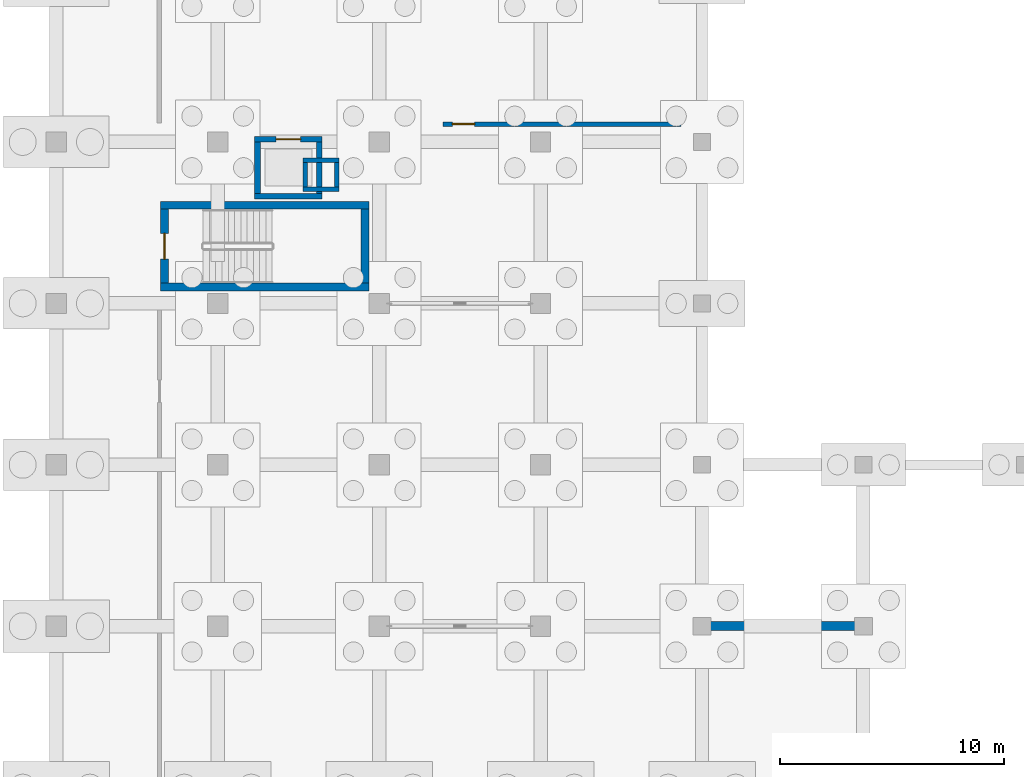
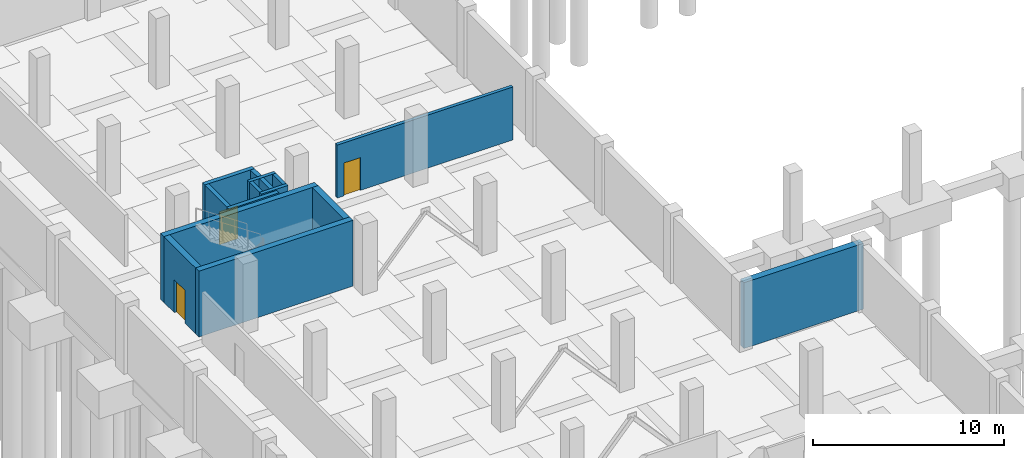
# One storey, part 29 of 36: 14 walls, 3 doors, 3 openings.
"""IFC4 building model written with IfcOpenShell, lengths in metres."""

from ifc_helpers import new_model, si_unit, direction, frame, frame_2d, origin, place, context, subcontext, project, spatial, rectangle, extrude, material, layer, layer_set, type_object, element, fill, save


model = new_model("IFC4")

# Units and contexts
model_context = context("Model", 3, precision=1e-05, world=origin(), true_north=direction((0.0, 1.0)))
body_context = subcontext(model_context, "Body", "Model", "MODEL_VIEW")
ifc_project = project(units=[si_unit("LENGTHUNIT", "METRE"), si_unit("AREAUNIT", "SQUARE_METRE"), si_unit("VOLUMEUNIT", "CUBIC_METRE"), si_unit("PLANEANGLEUNIT", "RADIAN"), si_unit("MASSUNIT", "GRAM", prefix="KILO")], contexts=[model_context])

# Site, building, storey
site_placement = place(None, origin())
site = spatial("IfcSite", under=ifc_project, at=site_placement, CompositionType="ELEMENT")
building_placement = place(site_placement, origin())
building = spatial("IfcBuilding", under=site, at=building_placement, Name="Kalmorath City Hall", CompositionType="ELEMENT")
storey_placement = place(building_placement, frame((0.0, 0.0, -4.5)))
storey = spatial("IfcBuildingStorey", under=building, at=storey_placement, Name="B1", CompositionType="ELEMENT", Elevation=-4.5)

# Walls
ifc_material_1 = material(Name="Concrete C40/50", Category="concrete")
ifc_layer_1 = layer(ifc_material_1, 0.39990234375)
ifc_layer_set_1 = layer_set([ifc_layer_1], Name="Concrete C40/50")
wall_type_1 = type_object("IfcWallType", Name="Concrete basement retaining wall 400", PredefinedType="USERDEFINED", material=ifc_layer_set_1)
wall_1_placement = place(storey_placement, frame((36.0, 36.0, 0.0), z_axis=(0.0, 0.0, 1.0), x_axis=(-1.0, 0.0, 0.0)))
element("IfcWall", 1, at=wall_1_placement, inside=storey, type_object=wall_type_1, Name="B1 retaining wall RW1-3", ObjectType="RETAININGWALL", PredefinedType="USERDEFINED", context=body_context, shape_type="SweptSolid", body=[
    extrude(rectangle(XDim=7.199951171875, YDim=0.39990234375, at=frame_2d((3.60009765625, 0.0))), origin(), (0.0, 0.0, 1.0), 4.199951171875),
])
ifc_material_2 = material(Name="Concrete C50/60", Category="concrete")
ifc_layer_2 = layer(ifc_material_2, 0.35009765625)
ifc_layer_set_2 = layer_set([ifc_layer_2], Name="Concrete C50/60")
wall_type_2 = type_object("IfcWallType", Name="Concrete core shear wall 350", PredefinedType="SHEAR", material=ifc_layer_set_2)
for number, where, z_axis, x_axis, name in (
    (2, (4.64990234375, 51.125, 0.0), (0.0, 0.0, 1.0), (1.0, 0.0, 0.0), "B1 C3 stair core shear wall S"),
    (3, (13.949951171875, 54.77490234375, 0.0), (0.0, 0.0, 1.0), (-1.0, 0.0, 0.0), "B1 C3 stair core shear wall N"),
):
    element("IfcWall", number, at=place(storey_placement, frame(where, z_axis=z_axis, x_axis=x_axis)), inside=storey, type_object=wall_type_2, Name=name, PredefinedType="SHEAR", context=body_context, shape_type="SweptSolid", body=[
        extrude(rectangle(XDim=9.300048828125, YDim=0.35009765625, at=frame_2d((4.64990234375, 0.0))), origin(), (0.0, 0.0, 1.0), 4.199951171875),
    ])

# Wall, opening, door
wall_2_placement = place(storey_placement, frame((4.824951171875, 54.60009765625, 0.0), z_axis=(0.0, 0.0, 1.0), x_axis=(0.0, -1.0, 0.0)))
wall_2 = element("IfcWall", 4, at=wall_2_placement, inside=storey, type_object=wall_type_2, Name="B1 C3 stair core shear wall W", PredefinedType="SHEAR", context=body_context, shape_type="SweptSolid", body=[
    extrude(rectangle(XDim=3.300048828125, YDim=0.35009765625, at=frame_2d((1.64990234375, 0.0))), origin(), (0.0, 0.0, 1.0), 4.199951171875),
])
opening_1_placement = place(wall_2_placement, frame((1.074951171875, 0.0, 0.0)))
opening_1 = element("IfcOpeningElement", 5, at=opening_1_placement, cuts=wall_2, Name="Opening D-B1-064", PredefinedType="OPENING", context=body_context, shape_type="SweptSolid", body=[
    extrude(rectangle(XDim=1.14990234375, YDim=2.10009765625, at=frame_2d((0.574951171875, 1.050048828125))), frame((0.0, 0.18505859375, 0.0), z_axis=(0.0, -1.0, 0.0), x_axis=(1.0, 0.0, 0.0)), (0.0, 0.0, 1.0), 0.3701171875),
])
ifc_material_3 = material(Name="Galvanised steel fire door", Category="steel")
door_type_1 = type_object("IfcDoorType", Name="Stair enclosure 90-min fire door 1150x2100", OperationType="NOTDEFINED", PredefinedType="DOOR", material=ifc_material_3)
door_1_placement = place(opening_1_placement, frame((1.14990234375, 0.0, 0.0), z_axis=(0.0, 0.0, 1.0), x_axis=(-1.0, 0.0, 0.0)))
door_1 = element("IfcDoor", 6, at=door_1_placement, inside=storey, type_object=door_type_1, Name="B1 door D-B1-064", OperationType="SINGLE_SWING_RIGHT", OverallHeight=2.10009765625, OverallWidth=1.14990234375, PredefinedType="DOOR", context=body_context, shape_type="SweptSolid", body=[
    extrude(rectangle(XDim=1.14990234375, YDim=2.10009765625, at=frame_2d((0.574951171875, 1.050048828125))), frame((0.0, 0.02490234375, 0.0), z_axis=(0.0, -1.0, 0.0), x_axis=(1.0, 0.0, 0.0)), (0.0, 0.0, 1.0), 0.050048828125),
])
fill(opening_1, door_1)

# Walls
wall_3_placement = place(storey_placement, frame((13.77490234375, 51.300048828125, 0.0), z_axis=(0.0, 0.0, 1.0), x_axis=(0.0, 1.0, 0.0)))
element("IfcWall", 7, at=wall_3_placement, inside=storey, type_object=wall_type_2, Name="B1 C3 stair core shear wall E", PredefinedType="SHEAR", context=body_context, shape_type="SweptSolid", body=[
    extrude(rectangle(XDim=3.300048828125, YDim=0.35009765625, at=frame_2d((1.64990234375, 0.0))), origin(), (0.0, 0.0, 1.0), 4.199951171875),
])
ifc_material_4 = material(Name="Concrete C50/60", Category="concrete")
ifc_layer_3 = layer(ifc_material_4, 0.25)
ifc_layer_set_3 = layer_set([ifc_layer_3], Name="Concrete C50/60")
wall_type_3 = type_object("IfcWallType", Name="Concrete lift shaft wall 250", PredefinedType="SHEAR", material=ifc_layer_set_3)
wall_4_placement = place(storey_placement, frame((8.85009765625, 55.175048828125, 0.0), z_axis=(0.0, 0.0, 1.0), x_axis=(1.0, 0.0, 0.0)))
element("IfcWall", 8, at=wall_4_placement, inside=storey, type_object=wall_type_3, Name="B1 PL4 lift shaft wall -y", PredefinedType="SHEAR", context=body_context, shape_type="SweptSolid", body=[
    extrude(rectangle(XDim=3.0, YDim=0.25, at=frame_2d((1.5, 0.0))), origin(), (0.0, 0.0, 1.0), 4.199951171875),
])

# Wall, opening, door
wall_5_placement = place(storey_placement, frame((11.85009765625, 57.72509765625, 0.0), z_axis=(0.0, 0.0, 1.0), x_axis=(-1.0, 0.0, 0.0)))
wall_5 = element("IfcWall", 9, at=wall_5_placement, inside=storey, type_object=wall_type_3, Name="B1 PL4 lift shaft wall +y", PredefinedType="SHEAR", context=body_context, shape_type="SweptSolid", body=[
    extrude(rectangle(XDim=3.0, YDim=0.25, at=frame_2d((1.5, 0.0))), origin(), (0.0, 0.0, 1.0), 4.199951171875),
])
opening_2_placement = place(wall_5_placement, frame((0.949951171875, 0.0, 0.0)))
opening_2 = element("IfcOpeningElement", 10, at=opening_2_placement, cuts=wall_5, Name="Opening LD-072", PredefinedType="OPENING", context=body_context, shape_type="SweptSolid", body=[
    extrude(rectangle(XDim=1.10009765625, YDim=2.10009765625, at=frame_2d((0.550048828125, 1.050048828125))), frame((0.0, 0.135009765625, 0.0), z_axis=(0.0, -1.0, 0.0), x_axis=(1.0, 0.0, 0.0)), (0.0, 0.0, 1.0), 0.27001953125),
])
ifc_material_5 = material(Name="Stainless steel sliding landing door", Category="steel")
door_type_2 = type_object("IfcDoorType", Name="Passenger lift sliding landing door 1100x2100", OperationType="SLIDING_TO_LEFT", PredefinedType="DOOR", material=ifc_material_5)
door_2_placement = place(opening_2_placement, origin())
door_2 = element("IfcDoor", 11, at=door_2_placement, inside=storey, type_object=door_type_2, Name="B1 door LD-072", OperationType="SLIDING_TO_LEFT", OverallHeight=2.10009765625, OverallWidth=1.10009765625, PredefinedType="DOOR", context=body_context, shape_type="SweptSolid", body=[
    extrude(rectangle(XDim=1.10009765625, YDim=2.10009765625, at=frame_2d((0.550048828125, 1.050048828125))), frame((0.0, 0.02490234375, 0.0), z_axis=(0.0, -1.0, 0.0), x_axis=(1.0, 0.0, 0.0)), (0.0, 0.0, 1.0), 0.050048828125),
])
fill(opening_2, door_2)

# Walls
for number, where, z_axis, x_axis, name in (
    (12, (8.97509765625, 57.60009765625, 0.0), (0.0, 0.0, 1.0), (0.0, -1.0, 0.0), "B1 PL4 lift shaft wall -x"),
    (13, (11.72509765625, 55.300048828125, 0.0), (0.0, 0.0, 1.0), (0.0, 1.0, 0.0), "B1 PL4 lift shaft wall +x"),
):
    element("IfcWall", number, at=place(storey_placement, frame(where, z_axis=z_axis, x_axis=x_axis)), inside=storey, type_object=wall_type_3, Name=name, PredefinedType="SHEAR", context=body_context, shape_type="SweptSolid", body=[
        extrude(rectangle(XDim=2.300048828125, YDim=0.25, at=frame_2d((1.14990234375, 0.0))), origin(), (0.0, 0.0, 1.0), 4.199951171875),
    ])
ifc_material_6 = material(Name="Concrete C40/50", Category="concrete")
ifc_layer_4 = layer(ifc_material_6, 0.199951171875)
ifc_layer_set_4 = layer_set([ifc_layer_4], Name="Concrete C40/50")
wall_type_4 = type_object("IfcWallType", Name="Concrete service riser wall 200", PredefinedType="SOLIDWALL", material=ifc_layer_set_4)
for number, where, z_axis, x_axis, name in (
    (14, (11.0, 55.5, 0.0), (0.0, 0.0, 1.0), (1.0, 0.0, 0.0), "B1 RSR-2 riser shaft wall S"),
    (15, (12.60009765625, 56.780029296875, 0.0), (0.0, 0.0, 1.0), (-1.0, 0.0, 0.0), "B1 RSR-2 riser shaft wall N"),
):
    element("IfcWall", number, at=place(storey_placement, frame(where, z_axis=z_axis, x_axis=x_axis)), inside=storey, type_object=wall_type_4, Name=name, PredefinedType="SOLIDWALL", context=body_context, shape_type="SweptSolid", body=[
        extrude(rectangle(XDim=1.60009765625, YDim=0.199951171875, at=frame_2d((0.800048828125, 0.0))), origin(), (0.0, 0.0, 1.0), 4.199951171875),
    ])
for number, where, z_axis, x_axis, name in (
    (16, (11.10009765625, 56.679931640625, 0.0), (0.0, 0.0, 1.0), (0.0, -1.0, 0.0), "B1 RSR-2 riser shaft wall W"),
    (17, (12.5, 55.60009765625, 0.0), (0.0, 0.0, 1.0), (0.0, 1.0, 0.0), "B1 RSR-2 riser shaft wall E"),
):
    element("IfcWall", number, at=place(storey_placement, frame(where, z_axis=z_axis, x_axis=x_axis)), inside=storey, type_object=wall_type_4, Name=name, PredefinedType="SOLIDWALL", context=body_context, shape_type="SweptSolid", body=[
        extrude(rectangle(XDim=1.079833984375, YDim=0.199951171875, at=frame_2d((0.5400390625, 0.0))), origin(), (0.0, 0.0, 1.0), 4.199951171875),
    ])

# Wall, opening, door
ifc_material_7 = material(Name="Gypsum fire-rated shaftliner partition")
ifc_layer_5 = layer(ifc_material_7, 0.199951171875)
ifc_layer_set_5 = layer_set([ifc_layer_5], Name="Gypsum fire-rated shaftliner partition")
wall_type_5 = type_object("IfcWallType", Name="Two-hour fire barrier partition 200", PredefinedType="PARTITIONING", material=ifc_layer_set_5)
wall_6_placement = place(storey_placement, frame((17.239990234375, 58.39990234375, 0.0), z_axis=(0.0, 0.0, 1.0), x_axis=(1.0, 0.0, 0.0)))
wall_6 = element("IfcWall", 18, at=wall_6_placement, inside=storey, type_object=wall_type_5, Name="B1 interior partition PW1 #11", PredefinedType="PARTITIONING", context=body_context, shape_type="SweptSolid", body=[
    extrude(rectangle(XDim=10.6201171875, YDim=0.199951171875, at=frame_2d((5.31005859375, 0.0))), origin(), (0.0, 0.0, 1.0), 3.381103515625),
])
opening_3_placement = place(wall_6_placement, frame((0.419921875, 0.0, 0.0)))
opening_3 = element("IfcOpeningElement", 19, at=opening_3_placement, cuts=wall_6, Name="Opening D-B1-112", PredefinedType="OPENING", context=body_context, shape_type="SweptSolid", body=[
    extrude(rectangle(XDim=1.0, YDim=2.10009765625, at=frame_2d((0.5, 1.050048828125))), frame((0.0, 0.10986328125, 0.0), z_axis=(0.0, -1.0, 0.0), x_axis=(1.0, 0.0, 0.0)), (0.0, 0.0, 1.0), 0.219970703125),
])
ifc_material_8 = material(Name="Hardwood fire door", Category="wood")
door_type_3 = type_object("IfcDoorType", Name="Corridor 60-min fire door 1000x2100", OperationType="NOTDEFINED", PredefinedType="DOOR", material=ifc_material_8)
door_3_placement = place(opening_3_placement, origin())
door_3 = element("IfcDoor", 20, at=door_3_placement, inside=storey, type_object=door_type_3, Name="B1 door D-B1-112", OperationType="SINGLE_SWING_RIGHT", OverallHeight=2.10009765625, OverallWidth=1.0, PredefinedType="DOOR", context=body_context, shape_type="SweptSolid", body=[
    extrude(rectangle(XDim=1.0, YDim=2.10009765625, at=frame_2d((0.5, 1.050048828125))), frame((0.0, 0.02490234375, 0.0), z_axis=(0.0, -1.0, 0.0), x_axis=(1.0, 0.0, 0.0)), (0.0, 0.0, 1.0), 0.050048828125),
])
fill(opening_3, door_3)

save(model, "model.ifc")
